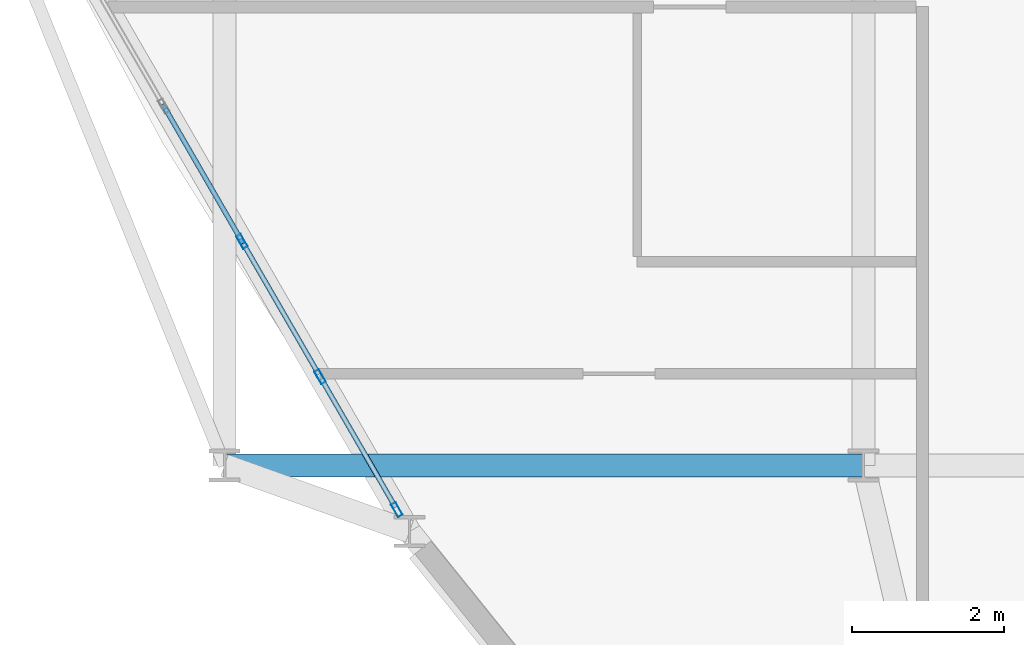
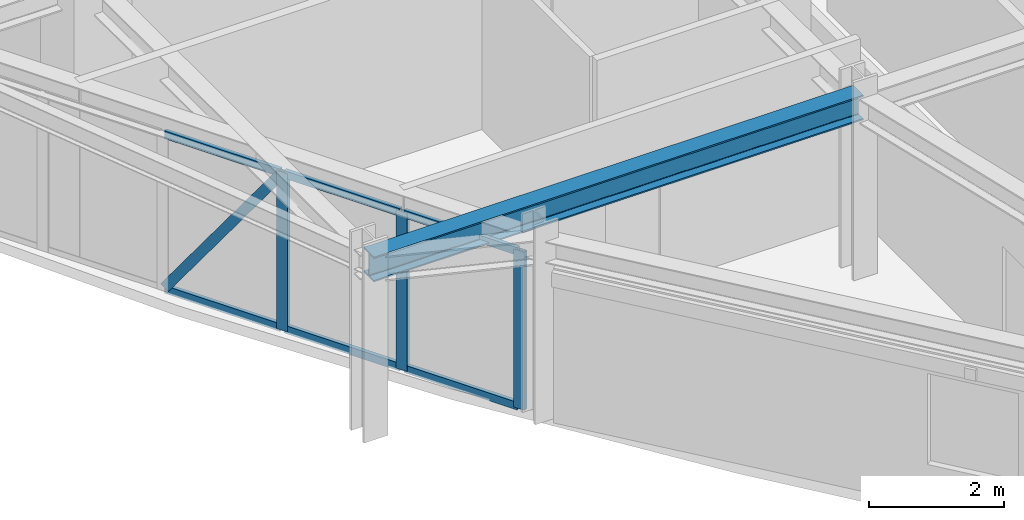
# One storey, part 2 of 16: 10 members, 1 beam, 1 element without a shape of its own.
"""IFC4 building model written with IfcOpenShell, lengths in metres."""

from ifc_helpers import new_model, si_unit, derived_unit, direction, frame, origin, origin_2d, place, context, subcontext, project, spatial, hollow_rectangle, i_section, extrude, source, transform, mapped, material, layer, layer_set, material_profile, profile_set, type_object, element, aggregate, save


model = new_model("IFC4")

# Units and contexts
model_context = context("Model", 3, precision=1e-05, world=origin(), true_north=direction((0.0, 1.0)))
body_context = subcontext(model_context, "Body", "Model", "MODEL_VIEW")
ifc_project = project(units=[si_unit("LENGTHUNIT", "METRE"), si_unit("AREAUNIT", "SQUARE_METRE"), si_unit("VOLUMEUNIT", "CUBIC_METRE"), si_unit("PLANEANGLEUNIT", "RADIAN"), si_unit("MASSUNIT", "GRAM", prefix="KILO"), derived_unit("THERMALTRANSMITTANCEUNIT", [(si_unit("POWERUNIT", "WATT"), 1), (si_unit("LENGTHUNIT", "METRE"), -2), (si_unit("THERMODYNAMICTEMPERATUREUNIT", "KELVIN"), -1)])], contexts=[model_context])

# Site, building, storey
site_placement = place(None, origin())
site = spatial("IfcSite", under=ifc_project, at=site_placement, CompositionType="ELEMENT")
building_placement = place(site_placement, origin())
building = spatial("IfcBuilding", under=site, at=building_placement, Name="Korsvarv Bourse and Concert Hall", CompositionType="ELEMENT")
storey_placement = place(building_placement, frame((0.0, 0.0, 234.60009765625)))
storey = spatial("IfcBuildingStorey", under=building, at=storey_placement, Name="L61", CompositionType="ELEMENT", Elevation=234.60009765625)

# Beam
ifc_material_1 = material(Name="Steel S355", Category="steel")
ifc_material_profile_1 = material_profile(ifc_material_1, i_section(OverallWidth=0.300048828125, OverallDepth=0.449951171875, WebThickness=0.013916015625, FlangeThickness=0.02587890625, FilletRadius=0.02099609375, at=origin_2d()), Name="HEB 450")
ifc_profile_set_1 = profile_set([ifc_material_profile_1], Name="Steel S355")
beam_type = type_object("IfcBeamType", Name="BM-HEB450", PredefinedType="SPANDREL", material=ifc_profile_set_1)
shared_shape_1 = source(origin(), body_context, "Body", "SweptSolid", [
    extrude(i_section(OverallWidth=0.300048828125, OverallDepth=0.449951171875, WebThickness=0.013916015625, FlangeThickness=0.02587890625, FilletRadius=0.02099609375, at=origin_2d()), origin(), (0.0, 0.0, 1.0), 8.39990234375),
])
beam_placement = place(storey_placement, frame((27.60009765625, 24.0, 3.034912109375), z_axis=(1.0, 0.0, 0.0), x_axis=(0.0, 1.0, 0.0)))
element("IfcBeam", 1, at=beam_placement, inside=storey, type_object=beam_type, Name="L61 beam B-08", PredefinedType="SPANDREL", context=body_context, shape_type="MappedRepresentation", body=[
    mapped(shared_shape_1, transform((0.0, 0.0, 0.0), scale=1.0)),
])

# Curtain wall, members
ifc_material_2 = material(Name="Anodised aluminium and triple low-E glazing", Category="glass")
ifc_layer = layer(ifc_material_2, 0.199951171875)
ifc_layer_set = layer_set([ifc_layer], Name="Anodised aluminium and triple low-E glazing")
curtain_wall_type = type_object("IfcCurtainWallType", Name="CW-SYS-3", PredefinedType="NOTDEFINED", material=ifc_layer_set)
curtain_wall_placement = place(storey_placement, origin())
curtain_wall = element("IfcCurtainWall", 2, at=curtain_wall_placement, inside=storey, type_object=curtain_wall_type, Name="L61 CW3 curtain wall CW-L61-F07-2", PredefinedType="NOTDEFINED")
ifc_material_3 = material(Name="Extruded aluminium EN AW-6063 T66", Category="aluminium")
ifc_material_profile_2 = material_profile(ifc_material_3, hollow_rectangle(XDim=0.06494140625, YDim=0.139892578125, WallThickness=0.00390625, at=origin_2d()), Name="ALU-T 65x140")
ifc_profile_set_2 = profile_set([ifc_material_profile_2], Name="Extruded aluminium EN AW-6063 T66")
member_type_1 = type_object("IfcMemberType", Name="CWT-140", PredefinedType="USERDEFINED", material=ifc_profile_set_2)
shared_shape_2 = source(origin(), body_context, "Body", "SweptSolid", [
    extrude(hollow_rectangle(XDim=0.06494140625, YDim=0.139892578125, WallThickness=0.00390625, at=origin_2d()), origin(), (0.0, 0.0, 1.0), 1.947998046875),
])
member_1_placement = place(storey_placement, frame((28.873779296875, 25.135498046875, 0.032470703125), z_axis=(0.499953905513, -0.866052014814, 0.0), x_axis=(0.866052014814, 0.499953905513, 0.0)))
member_1 = element("IfcMember", 3, at=member_1_placement, type_object=member_type_1, Name="CW3 transom 5.1", ObjectType="TRANSOM", PredefinedType="USERDEFINED", context=body_context, shape_type="MappedRepresentation", body=[
    mapped(shared_shape_2, transform((0.0, 0.0, 0.0), scale=1.0)),
])
member_2_placement = place(storey_placement, frame((28.873779296875, 25.135498046875, 2.83740234375), z_axis=(0.499953905513, -0.866052014814, 0.0), x_axis=(0.866052014814, 0.499953905513, 0.0)))
member_2 = element("IfcMember", 4, at=member_2_placement, type_object=member_type_1, Name="CW3 transom 5.2", ObjectType="TRANSOM", PredefinedType="USERDEFINED", context=body_context, shape_type="MappedRepresentation", body=[
    mapped(shared_shape_2, transform((0.0, 0.0, 0.0), scale=1.0)),
])
shared_shape_3 = source(origin(), body_context, "Body", "SweptSolid", [
    extrude(hollow_rectangle(XDim=0.06494140625, YDim=0.139892578125, WallThickness=0.00390625, at=origin_2d()), origin(), (0.0, 0.0, 1.0), 1.983154296875),
])
member_3_placement = place(storey_placement, frame((26.820556640625, 28.691650390625, 0.032470703125), z_axis=(0.499939139662, -0.866060538666, 0.0), x_axis=(0.866060538666, 0.499939139662, 0.0)))
member_3 = element("IfcMember", 5, at=member_3_placement, type_object=member_type_1, Name="CW3 transom 3.1", ObjectType="TRANSOM", PredefinedType="USERDEFINED", context=body_context, shape_type="MappedRepresentation", body=[
    mapped(shared_shape_3, transform((0.0, 0.0, 0.0), scale=1.0)),
])
member_4_placement = place(storey_placement, frame((26.820556640625, 28.691650390625, 2.83740234375), z_axis=(0.499939139662, -0.866060538666, 0.0), x_axis=(0.866060538666, 0.499939139662, 0.0)))
member_4 = element("IfcMember", 6, at=member_4_placement, type_object=member_type_1, Name="CW3 transom 3.2", ObjectType="TRANSOM", PredefinedType="USERDEFINED", context=body_context, shape_type="MappedRepresentation", body=[
    mapped(shared_shape_3, transform((0.0, 0.0, 0.0), scale=1.0)),
])
member_5_placement = place(storey_placement, frame((27.84716796875, 26.91357421875, 0.032470703125), z_axis=(0.499939139662, -0.866060538666, 0.0), x_axis=(0.866060538666, 0.499939139662, 0.0)))
member_5 = element("IfcMember", 7, at=member_5_placement, type_object=member_type_1, Name="CW3 transom 4.1", ObjectType="TRANSOM", PredefinedType="USERDEFINED", context=body_context, shape_type="MappedRepresentation", body=[
    mapped(shared_shape_3, transform((0.0, 0.0, 0.0), scale=1.0)),
])
member_6_placement = place(storey_placement, frame((27.84716796875, 26.91357421875, 2.83740234375), z_axis=(0.499939139662, -0.866060538666, 0.0), x_axis=(0.866060538666, 0.499939139662, 0.0)))
member_6 = element("IfcMember", 8, at=member_6_placement, type_object=member_type_1, Name="CW3 transom 4.2", ObjectType="TRANSOM", PredefinedType="USERDEFINED", context=body_context, shape_type="MappedRepresentation", body=[
    mapped(shared_shape_3, transform((0.0, 0.0, 0.0), scale=1.0)),
])
ifc_material_profile_3 = material_profile(ifc_material_3, hollow_rectangle(XDim=0.070068359375, YDim=0.18994140625, WallThickness=0.0048828125, at=origin_2d()), Name="ALU-M 70x190")
ifc_profile_set_3 = profile_set([ifc_material_profile_3], Name="Extruded aluminium EN AW-6063 T66")
member_type_2 = type_object("IfcMemberType", Name="CWM-190", PredefinedType="MULLION", material=ifc_profile_set_3)
shared_shape_4 = source(origin(), body_context, "Body", "SweptSolid", [
    extrude(hollow_rectangle(XDim=0.070068359375, YDim=0.18994140625, WallThickness=0.0048828125, at=origin_2d()), origin(), (0.0, 0.0, 1.0), 2.869873046875),
])
member_7_placement = place(storey_placement, frame((27.82958984375, 26.94384765625, 0.0), z_axis=(0.0, 0.0, 1.0), x_axis=(0.866025472463, 0.499999881045, 0.0)))
member_7 = element("IfcMember", 9, at=member_7_placement, type_object=member_type_2, Name="CW3 mullion 4", PredefinedType="MULLION", context=body_context, shape_type="MappedRepresentation", body=[
    mapped(shared_shape_4, transform((0.0, 0.0, 0.0), scale=1.0)),
])
member_8_placement = place(storey_placement, frame((28.856201171875, 25.165771484375, 0.0), z_axis=(0.0, 0.0, 1.0), x_axis=(0.866025472463, 0.499999881045, 0.0)))
member_8 = element("IfcMember", 10, at=member_8_placement, type_object=member_type_2, Name="CW3 mullion 5", PredefinedType="MULLION", context=body_context, shape_type="MappedRepresentation", body=[
    mapped(shared_shape_4, transform((0.0, 0.0, 0.0), scale=1.0)),
])
member_9_placement = place(storey_placement, frame((29.865234375, 23.418212890625, 0.0), z_axis=(0.0, 0.0, 1.0), x_axis=(0.866025472463, 0.499999881045, 0.0)))
member_9 = element("IfcMember", 11, at=member_9_placement, type_object=member_type_2, Name="CW3 mullion 6", PredefinedType="MULLION", context=body_context, shape_type="MappedRepresentation", body=[
    mapped(shared_shape_4, transform((0.0, 0.0, 0.0), scale=1.0)),
])
ifc_material_profile_4 = material_profile(ifc_material_3, hollow_rectangle(XDim=0.06494140625, YDim=0.1650390625, WallThickness=0.0048828125, at=origin_2d()), Name="ALU-M 65x165")
ifc_profile_set_4 = profile_set([ifc_material_profile_4], Name="Extruded aluminium EN AW-6063 T66")
member_type_3 = type_object("IfcMemberType", Name="CWM-165", PredefinedType="MULLION", material=ifc_profile_set_4)
shared_shape_5 = source(origin(), body_context, "Body", "SweptSolid", [
    extrude(hollow_rectangle(XDim=0.06494140625, YDim=0.1650390625, WallThickness=0.0048828125, at=origin_2d()), origin(), (0.0, 0.0, 1.0), 3.38232421875),
])
member_10_placement = place(storey_placement, frame((26.820556640625, 28.691650390625, 0.06494140625), z_axis=(0.293124246231, -0.507788493532, 0.810079639362), x_axis=(0.866060538666, 0.499939139662, 0.0)))
member_10 = element("IfcMember", 12, at=member_10_placement, type_object=member_type_3, Name="CW3 diagonal mullion 3", PredefinedType="MULLION", context=body_context, shape_type="MappedRepresentation", body=[
    mapped(shared_shape_5, transform((0.0, 0.0, 0.0), scale=1.0)),
])
aggregate(curtain_wall, [member_7, member_8, member_9, member_3, member_4, member_10, member_5, member_6, member_1, member_2])

save(model, "model.ifc")
